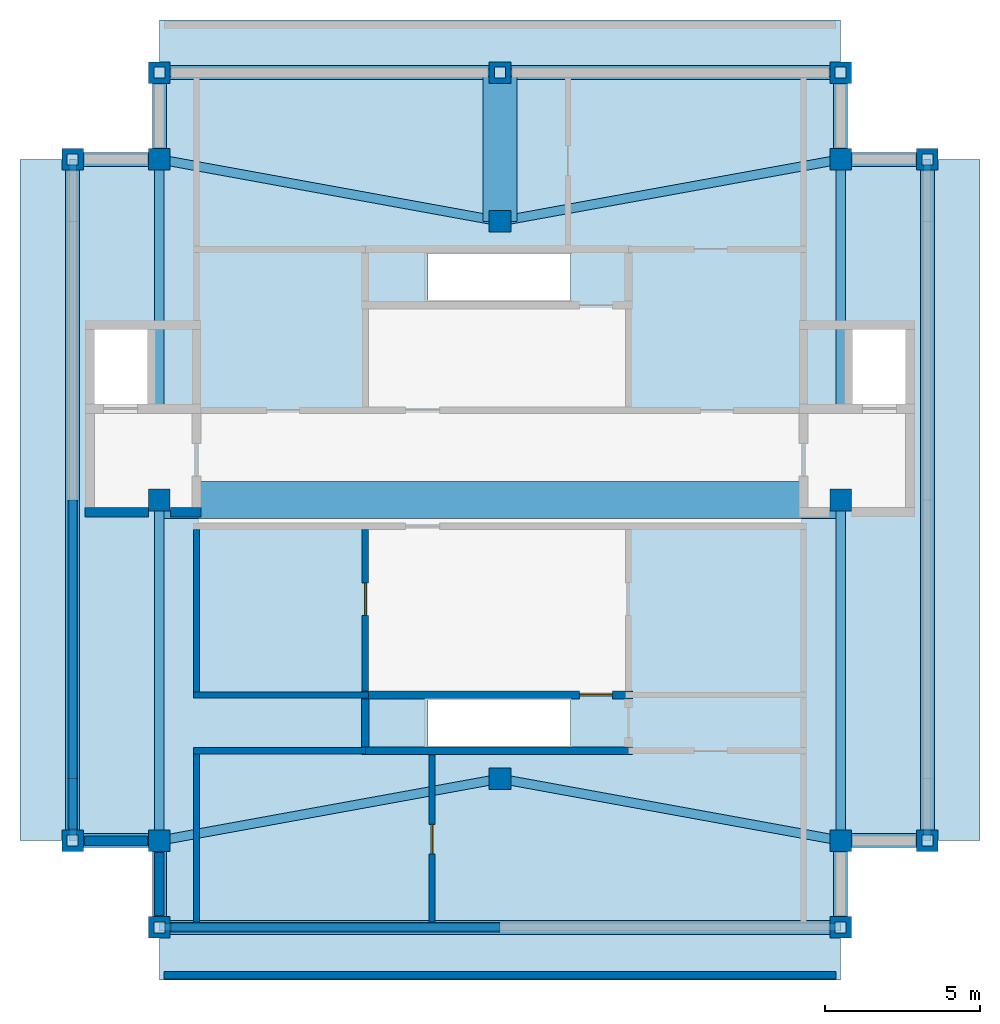
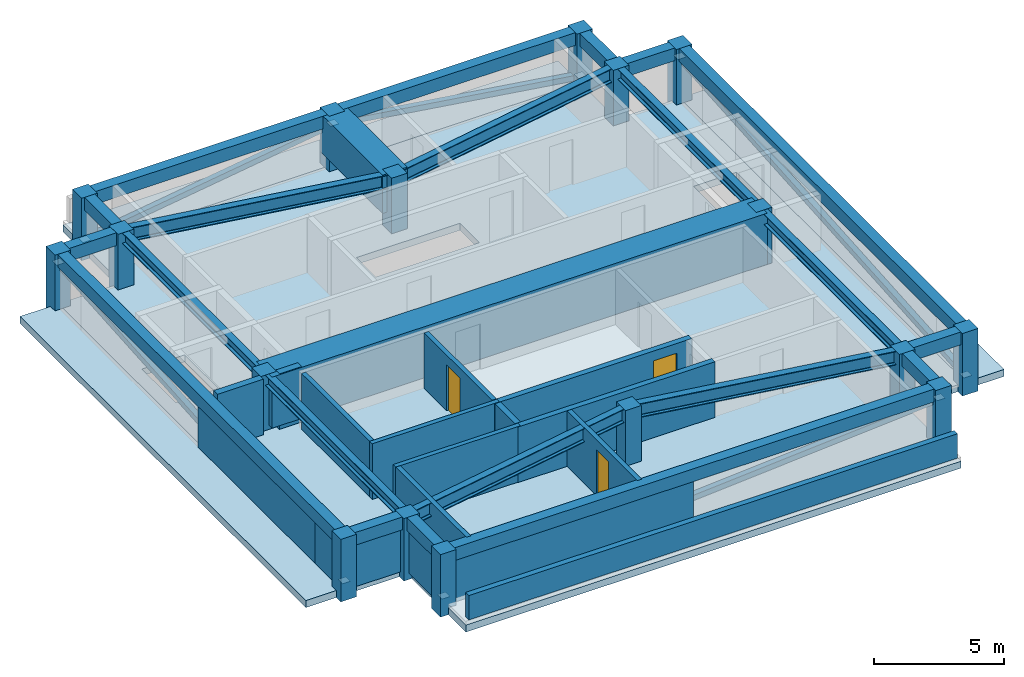
# One storey, part 1 of 4: 20 beams, 17 columns, 17 walls, 9 plates, 5 members, 5 slabs, 3 doors, 3 openings.
"""IFC4 building model written with IfcOpenShell, lengths in metres."""

from ifc_helpers import new_model, si_unit, direction, frame, frame_2d, origin, origin_2d, place, context, subcontext, project, spatial, polyline, rectangle, hollow_rectangle, i_section, outline, extrude, material, layer, layer_set, material_profile, profile_set, type_object, element, fill, save


model = new_model("IFC4")

# Units and contexts
model_context = context("Model", 3, precision=1e-05, world=origin(), true_north=direction((0.0, 1.0)))
body_context = subcontext(model_context, "Body", "Model", "MODEL_VIEW")
ifc_project = project(units=[si_unit("LENGTHUNIT", "METRE"), si_unit("AREAUNIT", "SQUARE_METRE"), si_unit("VOLUMEUNIT", "CUBIC_METRE"), si_unit("PLANEANGLEUNIT", "RADIAN"), si_unit("MASSUNIT", "GRAM", prefix="KILO")], contexts=[model_context])

# Site, building, storey
site_placement = place(None, origin())
site = spatial("IfcSite", under=ifc_project, at=site_placement, CompositionType="ELEMENT")
building_placement = place(site_placement, origin())
building = spatial("IfcBuilding", under=site, at=building_placement, Name="Zulmaris Gate Convention Tower", CompositionType="ELEMENT")
storey_placement = place(building_placement, frame((0.0, 0.0, 294.0400390625)))
storey = spatial("IfcBuildingStorey", under=building, at=storey_placement, Name="L79", CompositionType="ELEMENT", Elevation=294.0400390625)

# Columns
ifc_material_1 = material(Name="Concrete C50/60", Category="concrete")
ifc_material_profile_1 = material_profile(ifc_material_1, rectangle(XDim=0.699951171875, YDim=0.699951171875, at=origin_2d()), Name="RC COL 700x700")
ifc_profile_set_1 = profile_set([ifc_material_profile_1], Name="Concrete C50/60")
column_type = type_object("IfcColumnType", Name="COL-RC700", PredefinedType="COLUMN", material=ifc_profile_set_1)
for number, where, z_axis, x_axis, name in (
    (1, (-11.0, -13.800048828125, -0.324951171875), (0.0, 0.0, 1.0), (1.0, 0.0, 0.0), "L79 Column CR--11.00_-13.80"),
    (2, (11.0, -13.800048828125, -0.324951171875), (0.0, 0.0, 1.0), (1.0, 0.0, 0.0), "L79 Column CR-+11.00_-13.80"),
    (3, (13.800048828125, -11.0, -0.324951171875), (0.0, 0.0, 1.0), (1.0, 0.0, 0.0), "L79 Column CR-+13.80_-11.00"),
    (4, (13.800048828125, 11.0, -0.324951171875), (0.0, 0.0, 1.0), (1.0, 0.0, 0.0), "L79 Column CR-+13.80_+11.00"),
    (5, (11.0, 13.800048828125, -0.324951171875), (0.0, 0.0, 1.0), (1.0, 0.0, 0.0), "L79 Column CR-+11.00_+13.80"),
    (6, (0.0, 13.800048828125, -0.324951171875), (0.0, 0.0, 1.0), (1.0, 0.0, 0.0), "L79 Column CR-+0.00_+13.80"),
    (7, (-11.0, 13.800048828125, -0.324951171875), (0.0, 0.0, 1.0), (1.0, 0.0, 0.0), "L79 Column CR--11.00_+13.80"),
    (8, (-13.800048828125, 11.0, -0.324951171875), (0.0, 0.0, 1.0), (1.0, 0.0, 0.0), "L79 Column CR--13.80_+11.00"),
    (9, (-13.800048828125, -11.0, -0.324951171875), (0.0, 0.0, 1.0), (1.0, 0.0, 0.0), "L79 Column CR--13.80_-11.00"),
    (10, (-11.0, -11.0, -0.324951171875), (0.0, 0.0, 1.0), (1.0, 0.0, 0.0), "L79 Column CR--11.00_-11.00"),
    (11, (11.0, -11.0, -0.324951171875), (0.0, 0.0, 1.0), (1.0, 0.0, 0.0), "L79 Column CR-+11.00_-11.00"),
    (12, (-11.0, 11.0, -0.324951171875), (0.0, 0.0, 1.0), (1.0, 0.0, 0.0), "L79 Column CR--11.00_+11.00"),
    (13, (11.0, 11.0, -0.324951171875), (0.0, 0.0, 1.0), (1.0, 0.0, 0.0), "L79 Column CR-+11.00_+11.00"),
    (14, (-11.0, 0.0, -0.324951171875), (0.0, 0.0, 1.0), (1.0, 0.0, 0.0), "L79 Column CR--11.00_+0.00"),
    (15, (11.0, 0.0, -0.324951171875), (0.0, 0.0, 1.0), (1.0, 0.0, 0.0), "L79 Column CR-+11.00_+0.00"),
    (16, (0.0, -9.0, -0.324951171875), (0.0, 0.0, 1.0), (1.0, 0.0, 0.0), "L79 Column CR-+0.00_-9.00"),
    (17, (0.0, 9.0, -0.324951171875), (0.0, 0.0, 1.0), (1.0, 0.0, 0.0), "L79 Column CR-+0.00_+9.00"),
):
    element("IfcColumn", number, at=place(storey_placement, frame(where, z_axis=z_axis, x_axis=x_axis)), inside=storey, type_object=column_type, Name=name, PredefinedType="COLUMN", context=body_context, shape_type="SweptSolid", body=[
        extrude(rectangle(XDim=0.699951171875, YDim=0.699951171875, at=origin_2d()), origin(), (0.0, 0.0, 1.0), 2.93505859375),
    ])

# Beams
ifc_material_2 = material(Name="Steel S355", Category="steel")
ifc_material_profile_2 = material_profile(ifc_material_2, i_section(OverallWidth=0.300048828125, OverallDepth=0.5, WebThickness=0.014404296875, FlangeThickness=0.028076171875, FilletRadius=0.027099609375, at=origin_2d()), Name="HEB 500")
ifc_profile_set_2 = profile_set([ifc_material_profile_2], Name="Steel S355")
beam_type_1 = type_object("IfcBeamType", Name="BM-HEB500", PredefinedType="BEAM", material=ifc_profile_set_2)
for number, where, z_axis, x_axis, name in (
    (18, (-11.0, -11.0, 2.358154296875), (0.0, 1.0, 0.0), (-1.0, 0.0, 0.0), "L79 Beam BM-L79-CY--11.0-M"),
    (19, (11.0, -11.0, 2.358154296875), (0.0, 1.0, 0.0), (-1.0, 0.0, 0.0), "L79 Beam BM-L79-CY-+11.0-M"),
):
    element("IfcBeam", number, at=place(storey_placement, frame(where, z_axis=z_axis, x_axis=x_axis)), inside=storey, type_object=beam_type_1, Name=name, PredefinedType="BEAM", context=body_context, shape_type="SweptSolid", body=[
        extrude(i_section(OverallWidth=0.300048828125, OverallDepth=0.5, WebThickness=0.014404296875, FlangeThickness=0.028076171875, FilletRadius=0.027099609375, at=origin_2d()), origin(), (0.0, 0.0, 1.0), 22.0),
    ])
ifc_material_profile_3 = material_profile(ifc_material_2, i_section(OverallWidth=0.300048828125, OverallDepth=0.64990234375, WebThickness=0.01611328125, FlangeThickness=0.031005859375, FilletRadius=0.027099609375, at=origin_2d()), Name="HEB 650")
ifc_profile_set_3 = profile_set([ifc_material_profile_3], Name="Steel S355")
beam_type_2 = type_object("IfcBeamType", Name="BM-HEB650", PredefinedType="BEAM", material=ifc_profile_set_3)
for number, where, z_axis, x_axis, name in (
    (20, (-11.0, -11.0, 2.282958984375), (0.9838699101, 0.1788854382, 0.0), (-0.1788854382, 0.9838699101, 0.0), "L79 Beam BM-L79-CX--9.9-M1"),
    (21, (0.0, -9.0, 2.282958984375), (0.9838699101, -0.1788854382, 0.0), (0.1788854382, 0.9838699101, 0.0), "L79 Beam BM-L79-CX--9.9-M2"),
    (22, (-11.0, 11.0, 2.282958984375), (0.9838699101, -0.1788854382, 0.0), (0.1788854382, 0.9838699101, 0.0), "L79 Beam BM-L79-CX-+10.5-M1"),
    (23, (0.0, 9.0, 2.282958984375), (0.9838699101, 0.1788854382, 0.0), (-0.1788854382, 0.9838699101, 0.0), "L79 Beam BM-L79-CX-+10.5-M2"),
):
    element("IfcBeam", number, at=place(storey_placement, frame(where, z_axis=z_axis, x_axis=x_axis)), inside=storey, type_object=beam_type_2, Name=name, PredefinedType="BEAM", context=body_context, shape_type="SweptSolid", body=[
        extrude(i_section(OverallWidth=0.300048828125, OverallDepth=0.64990234375, WebThickness=0.01611328125, FlangeThickness=0.031005859375, FilletRadius=0.027099609375, at=origin_2d()), origin(), (0.0, 0.0, 1.0), 11.180419921875),
    ])
ifc_material_3 = material(Name="Precast concrete C50/60", Category="concrete")
ifc_material_profile_4 = material_profile(ifc_material_3, rectangle(XDim=0.449951171875, YDim=0.60009765625, at=origin_2d()), Name="RC SPANDREL 450x600")
ifc_profile_set_4 = profile_set([ifc_material_profile_4], Name="Precast concrete C50/60")
beam_type_3 = type_object("IfcBeamType", Name="BM-SP450x600", PredefinedType="SPANDREL", material=ifc_profile_set_4)
beam_1_placement = place(storey_placement, frame((-11.0, -13.800048828125, 2.31005859375), z_axis=(1.0, 0.0, 0.0), x_axis=(0.0, 1.0, 0.0)))
element("IfcBeam", 24, at=beam_1_placement, inside=storey, type_object=beam_type_3, Name="L79 Spandrel SP-L79-01", PredefinedType="SPANDREL", context=body_context, shape_type="SweptSolid", body=[
    extrude(rectangle(XDim=0.449951171875, YDim=0.60009765625, at=origin_2d()), origin(), (0.0, 0.0, 1.0), 22.0),
])
for number, where, z_axis, x_axis, name in (
    (25, (11.0, -13.800048828125, 2.31005859375), (0.0, 1.0, 0.0), (-1.0, 0.0, 0.0), "L79 Spandrel SP-L79-02"),
    (26, (11.0, -11.0, 2.31005859375), (1.0, 0.0, 0.0), (0.0, 1.0, 0.0), "L79 Spandrel SP-L79-03"),
):
    element("IfcBeam", number, at=place(storey_placement, frame(where, z_axis=z_axis, x_axis=x_axis)), inside=storey, type_object=beam_type_3, Name=name, PredefinedType="SPANDREL", context=body_context, shape_type="SweptSolid", body=[
        extrude(rectangle(XDim=0.449951171875, YDim=0.60009765625, at=origin_2d()), origin(), (0.0, 0.0, 1.0), 2.800048828125),
    ])
beam_2_placement = place(storey_placement, frame((13.800048828125, -11.0, 2.31005859375), z_axis=(0.0, 1.0, 0.0), x_axis=(-1.0, 0.0, 0.0)))
element("IfcBeam", 27, at=beam_2_placement, inside=storey, type_object=beam_type_3, Name="L79 Spandrel SP-L79-04", PredefinedType="SPANDREL", context=body_context, shape_type="SweptSolid", body=[
    extrude(rectangle(XDim=0.449951171875, YDim=0.60009765625, at=origin_2d()), origin(), (0.0, 0.0, 1.0), 22.0),
])
for number, where, z_axis, x_axis, name in (
    (28, (13.800048828125, 11.0, 2.31005859375), (-1.0, 0.0, 0.0), (0.0, -1.0, 0.0), "L79 Spandrel SP-L79-05"),
    (29, (11.0, 11.0, 2.31005859375), (0.0, 1.0, 0.0), (-1.0, 0.0, 0.0), "L79 Spandrel SP-L79-06"),
):
    element("IfcBeam", number, at=place(storey_placement, frame(where, z_axis=z_axis, x_axis=x_axis)), inside=storey, type_object=beam_type_3, Name=name, PredefinedType="SPANDREL", context=body_context, shape_type="SweptSolid", body=[
        extrude(rectangle(XDim=0.449951171875, YDim=0.60009765625, at=origin_2d()), origin(), (0.0, 0.0, 1.0), 2.800048828125),
    ])
beam_3_placement = place(storey_placement, frame((11.0, 13.800048828125, 2.31005859375), z_axis=(-1.0, 0.0, 0.0), x_axis=(0.0, -1.0, 0.0)))
element("IfcBeam", 30, at=beam_3_placement, inside=storey, type_object=beam_type_3, Name="L79 Spandrel SP-L79-07", PredefinedType="SPANDREL", context=body_context, shape_type="SweptSolid", body=[
    extrude(rectangle(XDim=0.449951171875, YDim=0.60009765625, at=origin_2d()), origin(), (0.0, 0.0, 1.0), 22.0),
])
for number, where, z_axis, x_axis, name in (
    (31, (-11.0, 13.800048828125, 2.31005859375), (0.0, -1.0, 0.0), (1.0, 0.0, 0.0), "L79 Spandrel SP-L79-08"),
    (32, (-11.0, 11.0, 2.31005859375), (-1.0, 0.0, 0.0), (0.0, -1.0, 0.0), "L79 Spandrel SP-L79-09"),
):
    element("IfcBeam", number, at=place(storey_placement, frame(where, z_axis=z_axis, x_axis=x_axis)), inside=storey, type_object=beam_type_3, Name=name, PredefinedType="SPANDREL", context=body_context, shape_type="SweptSolid", body=[
        extrude(rectangle(XDim=0.449951171875, YDim=0.60009765625, at=origin_2d()), origin(), (0.0, 0.0, 1.0), 2.800048828125),
    ])
beam_4_placement = place(storey_placement, frame((-13.800048828125, 11.0, 2.31005859375), z_axis=(0.0, -1.0, 0.0), x_axis=(1.0, 0.0, 0.0)))
element("IfcBeam", 33, at=beam_4_placement, inside=storey, type_object=beam_type_3, Name="L79 Spandrel SP-L79-10", PredefinedType="SPANDREL", context=body_context, shape_type="SweptSolid", body=[
    extrude(rectangle(XDim=0.449951171875, YDim=0.60009765625, at=origin_2d()), origin(), (0.0, 0.0, 1.0), 22.0),
])
for number, where, z_axis, x_axis, name in (
    (34, (-13.800048828125, -11.0, 2.31005859375), (1.0, 0.0, 0.0), (0.0, 1.0, 0.0), "L79 Spandrel SP-L79-11"),
    (35, (-11.0, -11.0, 2.31005859375), (0.0, -1.0, 0.0), (1.0, 0.0, 0.0), "L79 Spandrel SP-L79-12"),
):
    element("IfcBeam", number, at=place(storey_placement, frame(where, z_axis=z_axis, x_axis=x_axis)), inside=storey, type_object=beam_type_3, Name=name, PredefinedType="SPANDREL", context=body_context, shape_type="SweptSolid", body=[
        extrude(rectangle(XDim=0.449951171875, YDim=0.60009765625, at=origin_2d()), origin(), (0.0, 0.0, 1.0), 2.800048828125),
    ])
ifc_material_4 = material(Name="Concrete C80/95", Category="concrete")
ifc_material_profile_5 = material_profile(ifc_material_4, rectangle(XDim=1.10009765625, YDim=1.800048828125, at=origin_2d()), Name="RC TRANSFER 1100x1800")
ifc_profile_set_5 = profile_set([ifc_material_profile_5], Name="Concrete C80/95")
beam_type_4 = type_object("IfcBeamType", Name="BM-XFER1800", PredefinedType="BEAM", material=ifc_profile_set_5)
beam_5_placement = place(storey_placement, frame((0.0, 9.0, 1.7099609375), z_axis=(0.0, 1.0, 0.0), x_axis=(-1.0, 0.0, 0.0)))
element("IfcBeam", 36, at=beam_5_placement, inside=storey, type_object=beam_type_4, Name="L79 Beam BM-L79-CY-+0.0-N", PredefinedType="BEAM", context=body_context, shape_type="SweptSolid", body=[
    extrude(rectangle(XDim=1.10009765625, YDim=1.800048828125, at=origin_2d()), origin(), (0.0, 0.0, 1.0), 4.800048828125),
])
ifc_material_profile_6 = material_profile(ifc_material_4, rectangle(XDim=1.199951171875, YDim=2.39990234375, at=origin_2d()), Name="RC TRANSFER 1200x2400")
ifc_profile_set_6 = profile_set([ifc_material_profile_6], Name="Concrete C80/95")
beam_type_5 = type_object("IfcBeamType", Name="BM-XFER2400", PredefinedType="BEAM", material=ifc_profile_set_6)
beam_6_placement = place(storey_placement, frame((-11.0, 0.0, 1.41015625), z_axis=(1.0, 0.0, 0.0), x_axis=(0.0, 1.0, 0.0)))
element("IfcBeam", 37, at=beam_6_placement, inside=storey, type_object=beam_type_5, Name="L79 Beam BM-L79-CX-MID", PredefinedType="BEAM", context=body_context, shape_type="SweptSolid", body=[
    extrude(rectangle(XDim=1.199951171875, YDim=2.39990234375, at=origin_2d()), origin(), (0.0, 0.0, 1.0), 22.0),
])

# Members
ifc_material_profile_7 = material_profile(ifc_material_2, hollow_rectangle(XDim=0.25, YDim=0.25, WallThickness=0.012451171875, at=origin_2d()), Name="SHS 250x250x12.5")
ifc_profile_set_7 = profile_set([ifc_material_profile_7], Name="Steel S355")
member_type = type_object("IfcMemberType", Name="BR-SHS250", PredefinedType="BRACE", material=ifc_profile_set_7)
member_placement = place(storey_placement, frame((-11.0, -13.800048828125, 0.349853515625), z_axis=(0.997332564304, 0.0, 0.072991480176), x_axis=(0.0, 1.0, 0.0)))
element("IfcMember", 38, at=member_placement, inside=storey, type_object=member_type, Name="L79 Crown Perimeter Brace 01", PredefinedType="BRACE", context=body_context, shape_type="SweptSolid", body=[
    extrude(hollow_rectangle(XDim=0.25, YDim=0.25, WallThickness=0.012451171875, at=origin_2d()), origin(), (0.0, 0.0, 1.0), 22.058837890625),
])
for number, where, z_axis, x_axis, name in (
    (39, (-11.0, 13.800048828125, 0.349853515625), (0.989456535957, 0.0, 0.144830119288), (0.0, 1.0, 0.0), "L79 Crown Perimeter Brace 02"),
    (40, (0.0, 13.800048828125, 1.9599609375), (0.989456535957, 0.0, -0.144830119288), (0.0, 1.0, 0.0), "L79 Crown Perimeter Brace 03"),
):
    element("IfcMember", number, at=place(storey_placement, frame(where, z_axis=z_axis, x_axis=x_axis)), inside=storey, type_object=member_type, Name=name, PredefinedType="BRACE", context=body_context, shape_type="SweptSolid", body=[
        extrude(hollow_rectangle(XDim=0.25, YDim=0.25, WallThickness=0.012451171875, at=origin_2d()), origin(), (0.0, 0.0, 1.0), 11.1171875),
    ])
for number, where, z_axis, x_axis, name in (
    (41, (-13.800048828125, -11.0, 0.349853515625), (0.0, 0.997332564304, 0.072991480176), (-1.0, 0.0, 0.0), "L79 Crown Perimeter Brace 04"),
    (42, (13.800048828125, -11.0, 0.349853515625), (0.0, 0.997332564304, 0.072991480176), (-1.0, 0.0, 0.0), "L79 Crown Perimeter Brace 05"),
):
    element("IfcMember", number, at=place(storey_placement, frame(where, z_axis=z_axis, x_axis=x_axis)), inside=storey, type_object=member_type, Name=name, PredefinedType="BRACE", context=body_context, shape_type="SweptSolid", body=[
        extrude(hollow_rectangle(XDim=0.25, YDim=0.25, WallThickness=0.012451171875, at=origin_2d()), origin(), (0.0, 0.0, 1.0), 22.058837890625),
    ])

# Plates
ifc_material_5 = material(Name="Steel S460", Category="steel")
ifc_layer_1 = layer(ifc_material_5, 0.02197265625, Name="Steel S460")
ifc_layer_set_1 = layer_set([ifc_layer_1], Name="Steel S460")
plate_type = type_object("IfcPlateType", Name="NP-CAP-360", PredefinedType="USERDEFINED", material=ifc_layer_set_1)
for number, where, z_axis, x_axis, name in (
    (43, (-11.0, -13.800048828125, 0.3388671875), (0.0, 0.0, 1.0), (1.0, 0.0, 0.0), "L79 Steel Node Plate CBR-L79-01-P0"),
    (44, (11.0, -13.800048828125, 1.948974609375), (0.0, 0.0, 1.0), (1.0, 0.0, 0.0), "L79 Steel Node Plate CBR-L79-01-P1"),
    (45, (-11.0, 13.800048828125, 0.3388671875), (0.0, 0.0, 1.0), (1.0, 0.0, 0.0), "L79 Steel Node Plate CBR-L79-02-P0"),
    (46, (0.0, 13.800048828125, 1.948974609375), (0.0, 0.0, 1.0), (1.0, 0.0, 0.0), "L79 Steel Node Plate CBR-L79-02-P1"),
    (47, (11.0, 13.800048828125, 0.3388671875), (0.0, 0.0, 1.0), (1.0, 0.0, 0.0), "L79 Steel Node Plate CBR-L79-03-P1"),
    (48, (-13.800048828125, -11.0, 0.3388671875), (0.0, 0.0, 1.0), (1.0, 0.0, 0.0), "L79 Steel Node Plate CBR-L79-04-P0"),
    (49, (-13.800048828125, 11.0, 1.948974609375), (0.0, 0.0, 1.0), (1.0, 0.0, 0.0), "L79 Steel Node Plate CBR-L79-04-P1"),
    (50, (13.800048828125, -11.0, 0.3388671875), (0.0, 0.0, 1.0), (1.0, 0.0, 0.0), "L79 Steel Node Plate CBR-L79-05-P0"),
    (51, (13.800048828125, 11.0, 1.948974609375), (0.0, 0.0, 1.0), (1.0, 0.0, 0.0), "L79 Steel Node Plate CBR-L79-05-P1"),
):
    element("IfcPlate", number, at=place(storey_placement, frame(where, z_axis=z_axis, x_axis=x_axis)), inside=storey, type_object=plate_type, Name=name, ObjectType="FLANGE PLATE", PredefinedType="USERDEFINED", context=body_context, shape_type="SweptSolid", body=[
        extrude(rectangle(XDim=0.360107421875, YDim=0.360107421875, at=origin_2d()), origin(), (0.0, 0.0, 1.0), 0.02197265625),
    ])

# Slabs
ifc_layer_2 = layer(ifc_material_1, 0.324951171875, Name="Concrete C50/60")
ifc_layer_set_2 = layer_set([ifc_layer_2], Name="Concrete C50/60")
slab_type_1 = type_object("IfcSlabType", Name="SL-FLR-325", PredefinedType="FLOOR", material=ifc_layer_set_2)
slab_1_placement = place(storey_placement, frame((0.0, 0.0, -0.324951171875)))
element("IfcSlab", 52, at=slab_1_placement, inside=storey, type_object=slab_type_1, Name="L79 Crown Plant Floor Slab", PredefinedType="FLOOR", context=body_context, shape_type="SweptSolid", body=[
    extrude(outline(polyline([(-11.0, -13.800048828125), (11.0, -13.800048828125), (11.0, -11.0), (13.800048828125, -11.0), (13.800048828125, 11.0), (11.0, 11.0), (11.0, 13.800048828125), (-11.0, 13.800048828125), (-11.0, 11.0), (-13.800048828125, 11.0), (-13.800048828125, -11.0), (-11.0, -11.0), (-11.0, -13.800048828125)]), holes=[polyline([(-2.320068359375, -7.949951171875), (2.280029296875, -7.949951171875), (2.280029296875, -6.449951171875), (-2.320068359375, -6.449951171875), (-2.320068359375, -7.949951171875)]), polyline([(-2.320068359375, 6.449951171875), (2.280029296875, 6.449951171875), (2.280029296875, 7.949951171875), (-2.320068359375, 7.949951171875), (-2.320068359375, 6.449951171875)]), polyline([(-13.199951171875, 3.0), (-11.300048828125, 3.0), (-11.300048828125, 5.60009765625), (-13.199951171875, 5.60009765625), (-13.199951171875, 3.0)]), polyline([(11.300048828125, 3.0), (13.199951171875, 3.0), (13.199951171875, 5.60009765625), (11.300048828125, 5.60009765625), (11.300048828125, 3.0)])]), origin(), (0.0, 0.0, 1.0), 0.324951171875),
])
ifc_layer_3 = layer(ifc_material_1, 0.324951171875, Name="Concrete C50/60")
ifc_layer_set_3 = layer_set([ifc_layer_3], Name="Concrete C50/60")
slab_type_2 = type_object("IfcSlabType", Name="SL-ROOF-325", PredefinedType="ROOF", material=ifc_layer_set_3)
slab_2_placement = place(storey_placement, frame((0.0, 0.0, -0.324951171875)))
element("IfcSlab", 53, at=slab_2_placement, inside=storey, type_object=slab_type_2, Name="L79 Stepped Crown Setback Roof Cap N", PredefinedType="ROOF", context=body_context, shape_type="SweptSolid", body=[
    extrude(outline(polyline([(-11.0, 13.800048828125), (11.0, 13.800048828125), (11.0, 15.5), (-11.0, 15.5), (-11.0, 13.800048828125)])), origin(), (0.0, 0.0, 1.0), 0.324951171875),
])
slab_3_placement = place(storey_placement, frame((0.0, 0.0, -0.324951171875)))
element("IfcSlab", 54, at=slab_3_placement, inside=storey, type_object=slab_type_2, Name="L79 Stepped Crown Setback Roof Cap S", PredefinedType="ROOF", context=body_context, shape_type="SweptSolid", body=[
    extrude(outline(polyline([(-11.0, -15.5), (11.0, -15.5), (11.0, -13.800048828125), (-11.0, -13.800048828125), (-11.0, -15.5)])), origin(), (0.0, 0.0, 1.0), 0.324951171875),
])
slab_4_placement = place(storey_placement, frame((0.0, 0.0, -0.324951171875)))
element("IfcSlab", 55, at=slab_4_placement, inside=storey, type_object=slab_type_2, Name="L79 Stepped Crown Setback Roof Cap W", PredefinedType="ROOF", context=body_context, shape_type="SweptSolid", body=[
    extrude(outline(polyline([(-15.5, -11.0), (-13.800048828125, -11.0), (-13.800048828125, 11.0), (-15.5, 11.0), (-15.5, -11.0)])), origin(), (0.0, 0.0, 1.0), 0.324951171875),
])
slab_5_placement = place(storey_placement, frame((0.0, 0.0, -0.324951171875)))
element("IfcSlab", 56, at=slab_5_placement, inside=storey, type_object=slab_type_2, Name="L79 Stepped Crown Setback Roof Cap E", PredefinedType="ROOF", context=body_context, shape_type="SweptSolid", body=[
    extrude(outline(polyline([(13.800048828125, -11.0), (15.5, -11.0), (15.5, 11.0), (13.800048828125, 11.0), (13.800048828125, -11.0)])), origin(), (0.0, 0.0, 1.0), 0.324951171875),
])

# Wall
ifc_layer_4 = layer(ifc_material_1, 0.25, Name="Concrete C50/60")
ifc_layer_set_4 = layer_set([ifc_layer_4], Name="Concrete C50/60")
wall_type_1 = type_object("IfcWallType", Name="CORE-250", PredefinedType="SOLIDWALL", material=ifc_layer_set_4)
wall_1_placement = place(storey_placement, frame((-4.47509765625, -8.10009765625, 0.0), z_axis=(0.0, 0.0, 1.0), x_axis=(1.0, 0.0, 0.0)))
element("IfcWall", 57, at=wall_1_placement, inside=storey, type_object=wall_type_1, Name="WL-L79-001", PredefinedType="SOLIDWALL", context=body_context, shape_type="SweptSolid", body=[
    extrude(rectangle(XDim=8.75, YDim=0.25, at=frame_2d((4.375, 0.0))), origin(), (0.0, 0.0, 1.0), 2.610107421875),
])

# Wall, opening, door
wall_2_placement = place(storey_placement, frame((-4.47509765625, -6.300048828125, 0.0), z_axis=(0.0, 0.0, 1.0), x_axis=(1.0, 0.0, 0.0)))
wall_2 = element("IfcWall", 58, at=wall_2_placement, inside=storey, type_object=wall_type_1, Name="WL-L79-002", PredefinedType="SOLIDWALL", context=body_context, shape_type="SweptSolid", body=[
    extrude(rectangle(XDim=8.75, YDim=0.25, at=frame_2d((4.375, 0.0))), origin(), (0.0, 0.0, 1.0), 2.610107421875),
])
opening_1_placement = place(wall_2_placement, frame((7.050048828125, 0.0, 0.0)))
opening_1 = element("IfcOpeningElement", 59, at=opening_1_placement, cuts=wall_2, Name="Opening D-09", PredefinedType="OPENING", context=body_context, shape_type="SweptSolid", body=[
    extrude(rectangle(XDim=1.050048828125, YDim=2.14990234375, at=frame_2d((0.52490234375, 1.074951171875))), frame((0.0, 0.135009765625, 0.0), z_axis=(0.0, -1.0, 0.0), x_axis=(1.0, 0.0, 0.0)), (0.0, 0.0, 1.0), 0.27001953125),
])
ifc_material_6 = material(Name="Fire-Rated Steel", Category="steel")
door_type_1 = type_object("IfcDoorType", Name="DR-1050-FD", OperationType="NOTDEFINED", PredefinedType="DOOR", material=ifc_material_6)
door_1_placement = place(opening_1_placement, origin())
door_1 = element("IfcDoor", 60, at=door_1_placement, inside=storey, type_object=door_type_1, Name="L79 Crown Stair ST-7 Door 05", OperationType="SINGLE_SWING_LEFT", OverallHeight=2.14990234375, OverallWidth=1.050048828125, PredefinedType="DOOR", context=body_context, shape_type="SweptSolid", body=[
    extrude(rectangle(XDim=1.050048828125, YDim=2.14990234375, at=frame_2d((0.52490234375, 1.074951171875))), frame((0.0, 0.02490234375, 0.0), z_axis=(0.0, -1.0, 0.0), x_axis=(1.0, 0.0, 0.0)), (0.0, 0.0, 1.0), 0.050048828125),
])
fill(opening_1, door_1)

# Walls
wall_3_placement = place(storey_placement, frame((-4.35009765625, -7.972900390625, 0.0), z_axis=(0.0, 0.0, 1.0), x_axis=(0.0, 1.0, 0.0)))
element("IfcWall", 61, at=wall_3_placement, inside=storey, type_object=wall_type_1, Name="WL-L79-024", PredefinedType="SOLIDWALL", context=body_context, shape_type="SweptSolid", body=[
    extrude(rectangle(XDim=1.5458984375, YDim=0.25, at=frame_2d((0.77294921875, 0.0))), origin(), (0.0, 0.0, 1.0), 2.610107421875),
])
ifc_layer_5 = layer(ifc_material_1, 0.300048828125, Name="Concrete C50/60")
ifc_layer_set_5 = layer_set([ifc_layer_5], Name="Concrete C50/60")
wall_type_2 = type_object("IfcWallType", Name="CORE-300", PredefinedType="SHEAR", material=ifc_layer_set_5)
wall_4_placement = place(storey_placement, frame((-13.39990234375, -0.39990234375, 0.0), z_axis=(0.0, 0.0, 1.0), x_axis=(1.0, 0.0, 0.0)))
element("IfcWall", 62, at=wall_4_placement, inside=storey, type_object=wall_type_2, Name="WL-L79-003", PredefinedType="SHEAR", context=body_context, shape_type="SweptSolid", body=[
    extrude(rectangle(XDim=2.0458984375, YDim=0.300048828125, at=frame_2d((1.02294921875, 0.0))), origin(), (0.0, 0.0, 1.0), 2.610107421875),
])
wall_5_placement = place(storey_placement, frame((-10.64599609375, -0.39990234375, 0.0), z_axis=(0.0, 0.0, 1.0), x_axis=(1.0, 0.0, 0.0)))
element("IfcWall", 63, at=wall_5_placement, inside=storey, type_object=wall_type_2, Name="WL-L79-003S1", PredefinedType="SHEAR", context=body_context, shape_type="SweptSolid", body=[
    extrude(rectangle(XDim=0.99609375, YDim=0.300048828125, at=frame_2d((0.498046875, 0.0))), origin(), (0.0, 0.0, 1.0), 2.610107421875),
])
ifc_material_7 = material(Name="Autoclaved Aerated Concrete Block and Plasterboard", Category="concrete")
ifc_layer_6 = layer(ifc_material_7, 0.199951171875, Name="Autoclaved Aerated Concrete Block and Plasterboard")
ifc_layer_set_6 = layer_set([ifc_layer_6], Name="Autoclaved Aerated Concrete Block and Plasterboard")
wall_type_3 = type_object("IfcWallType", Name="PART-200", PredefinedType="PARTITIONING", material=ifc_layer_set_6)
wall_6_placement = place(storey_placement, frame((-9.89990234375, -8.10009765625, 0.0), z_axis=(0.0, 0.0, 1.0), x_axis=(1.0, 0.0, 0.0)))
element("IfcWall", 64, at=wall_6_placement, inside=storey, type_object=wall_type_3, Name="WL-L79-011", PredefinedType="PARTITIONING", context=body_context, shape_type="SweptSolid", body=[
    extrude(rectangle(XDim=5.5498046875, YDim=0.199951171875, at=frame_2d((2.77490234375, 0.0))), origin(), (0.0, 0.0, 1.0), 2.610107421875),
])
wall_7_placement = place(storey_placement, frame((-9.89990234375, -6.300048828125, 0.0), z_axis=(0.0, 0.0, 1.0), x_axis=(1.0, 0.0, 0.0)))
element("IfcWall", 65, at=wall_7_placement, inside=storey, type_object=wall_type_3, Name="WL-L79-013", PredefinedType="PARTITIONING", context=body_context, shape_type="SweptSolid", body=[
    extrude(rectangle(XDim=5.64990234375, YDim=0.199951171875, at=frame_2d((2.824951171875, 0.0))), origin(), (0.0, 0.0, 1.0), 2.610107421875),
])
wall_8_placement = place(storey_placement, frame((-9.800048828125, -13.635009765625, 0.0), z_axis=(0.0, 0.0, 1.0), x_axis=(0.0, 1.0, 0.0)))
element("IfcWall", 66, at=wall_8_placement, inside=storey, type_object=wall_type_3, Name="WL-L79-033", PredefinedType="PARTITIONING", context=body_context, shape_type="SweptSolid", body=[
    extrude(rectangle(XDim=5.43212890625, YDim=0.199951171875, at=frame_2d((2.716064453125, 0.0))), origin(), (0.0, 0.0, 1.0), 2.610107421875),
])
wall_9_placement = place(storey_placement, frame((-9.800048828125, -6.197021484375, 0.0), z_axis=(0.0, 0.0, 1.0), x_axis=(0.0, 1.0, 0.0)))
element("IfcWall", 67, at=wall_9_placement, inside=storey, type_object=wall_type_3, Name="WL-L79-034", PredefinedType="PARTITIONING", context=body_context, shape_type="SweptSolid", body=[
    extrude(rectangle(XDim=5.244140625, YDim=0.199951171875, at=frame_2d((2.6220703125, 0.0))), origin(), (0.0, 0.0, 1.0), 2.610107421875),
])

# Wall, opening, door
wall_10_placement = place(storey_placement, frame((-4.35009765625, -6.172119140625, 0.0), z_axis=(0.0, 0.0, 1.0), x_axis=(0.0, 1.0, 0.0)))
wall_10 = element("IfcWall", 68, at=wall_10_placement, inside=storey, type_object=wall_type_3, Name="WL-L79-037", PredefinedType="PARTITIONING", context=body_context, shape_type="SweptSolid", body=[
    extrude(rectangle(XDim=5.21923828125, YDim=0.199951171875, at=frame_2d((2.609619140625, 0.0))), origin(), (0.0, 0.0, 1.0), 2.610107421875),
])
opening_2_placement = place(wall_10_placement, frame((2.447021484375, 0.0, 0.0)))
opening_2 = element("IfcOpeningElement", 69, at=opening_2_placement, cuts=wall_10, Name="Opening D-09", PredefinedType="OPENING", context=body_context, shape_type="SweptSolid", body=[
    extrude(rectangle(XDim=1.050048828125, YDim=2.14990234375, at=frame_2d((0.52490234375, 1.074951171875))), frame((0.0, 0.10986328125, 0.0), z_axis=(0.0, -1.0, 0.0), x_axis=(1.0, 0.0, 0.0)), (0.0, 0.0, 1.0), 0.219970703125),
])
door_2_placement = place(opening_2_placement, origin())
door_2 = element("IfcDoor", 70, at=door_2_placement, inside=storey, type_object=door_type_1, Name="L79 Chiller Plant Door 09", OperationType="SINGLE_SWING_LEFT", OverallHeight=2.14990234375, OverallWidth=1.050048828125, PredefinedType="DOOR", context=body_context, shape_type="SweptSolid", body=[
    extrude(rectangle(XDim=1.050048828125, YDim=2.14990234375, at=frame_2d((0.52490234375, 1.074951171875))), frame((0.0, 0.02490234375, 0.0), z_axis=(0.0, -1.0, 0.0), x_axis=(1.0, 0.0, 0.0)), (0.0, 0.0, 1.0), 0.050048828125),
])
fill(opening_2, door_2)

wall_11_placement = place(storey_placement, frame((-2.199951171875, -13.635009765625, 0.0), z_axis=(0.0, 0.0, 1.0), x_axis=(0.0, 1.0, 0.0)))
wall_11 = element("IfcWall", 71, at=wall_11_placement, inside=storey, type_object=wall_type_3, Name="WL-L79-039", PredefinedType="PARTITIONING", context=body_context, shape_type="SweptSolid", body=[
    extrude(rectangle(XDim=5.406982421875, YDim=0.199951171875, at=frame_2d((2.70361328125, 0.0))), origin(), (0.0, 0.0, 1.0), 2.610107421875),
])
opening_3_placement = place(wall_11_placement, frame((2.2099609375, 0.0, 0.0)))
opening_3 = element("IfcOpeningElement", 72, at=opening_3_placement, cuts=wall_11, Name="Opening D-11", PredefinedType="OPENING", context=body_context, shape_type="SweptSolid", body=[
    extrude(rectangle(XDim=0.949951171875, YDim=2.14990234375, at=frame_2d((0.47509765625, 1.074951171875))), frame((0.0, 0.10986328125, 0.0), z_axis=(0.0, -1.0, 0.0), x_axis=(1.0, 0.0, 0.0)), (0.0, 0.0, 1.0), 0.219970703125),
])
ifc_material_8 = material(Name="Fire-Rated Timber", Category="wood")
door_type_2 = type_object("IfcDoorType", Name="DR-950-FD", OperationType="NOTDEFINED", PredefinedType="DOOR", material=ifc_material_8)
door_3_placement = place(opening_3_placement, origin())
door_3 = element("IfcDoor", 73, at=door_3_placement, inside=storey, type_object=door_type_2, Name="L79 West Cooling Plant Door 14", OperationType="SINGLE_SWING_RIGHT", OverallHeight=2.14990234375, OverallWidth=0.949951171875, PredefinedType="DOOR", context=body_context, shape_type="SweptSolid", body=[
    extrude(rectangle(XDim=0.949951171875, YDim=2.14990234375, at=frame_2d((0.47509765625, 1.074951171875))), frame((0.0, 0.02490234375, 0.0), z_axis=(0.0, -1.0, 0.0), x_axis=(1.0, 0.0, 0.0)), (0.0, 0.0, 1.0), 0.050048828125),
])
fill(opening_3, door_3)

# Walls
ifc_material_9 = material(Name="Precast concrete C40/50", Category="concrete")
ifc_layer_7 = layer(ifc_material_9, 0.300048828125, Name="Precast concrete C40/50")
ifc_layer_set_7 = layer_set([ifc_layer_7], Name="Precast concrete C40/50")
wall_type_4 = type_object("IfcWallType", Name="PRECAST-CROWN-300", PredefinedType="STANDARD", material=ifc_layer_set_7)
wall_12_placement = place(storey_placement, frame((-10.6201171875, -13.800048828125, 0.0), z_axis=(0.0, 0.0, 1.0), x_axis=(1.0, 0.0, 0.0)))
element("IfcWall", 74, at=wall_12_placement, inside=storey, type_object=wall_type_4, Name="EW-L79-CR-S0_0", PredefinedType="STANDARD", context=body_context, shape_type="SweptSolid", body=[
    extrude(rectangle(XDim=10.6201171875, YDim=0.300048828125, at=frame_2d((5.31005859375, 0.0))), origin(), (0.0, 0.0, 1.0), 2.001953125),
])
wall_13_placement = place(storey_placement, frame((-13.800048828125, -9.0, 0.0), z_axis=(0.0, 0.0, 1.0), x_axis=(0.0, -1.0, 0.0)))
element("IfcWall", 75, at=wall_13_placement, inside=storey, type_object=wall_type_4, Name="EW-L79-CR-W0_0", PredefinedType="STANDARD", context=body_context, shape_type="SweptSolid", body=[
    extrude(rectangle(XDim=1.6201171875, YDim=0.300048828125, at=frame_2d((0.81005859375, 0.0))), origin(), (0.0, 0.0, 1.0), 2.001953125),
])
wall_14_placement = place(storey_placement, frame((-13.800048828125, 0.0, 0.0), z_axis=(0.0, 0.0, 1.0), x_axis=(0.0, -1.0, 0.0)))
element("IfcWall", 76, at=wall_14_placement, inside=storey, type_object=wall_type_4, Name="EW-L79-CR-W1_0", PredefinedType="STANDARD", context=body_context, shape_type="SweptSolid", body=[
    extrude(rectangle(XDim=9.0, YDim=0.300048828125, at=frame_2d((4.5, 0.0))), origin(), (0.0, 0.0, 1.0), 2.001953125),
])
for number, where, z_axis, x_axis, name in (
    (77, (-13.419921875, -11.0, 0.0), (0.0, 0.0, 1.0), (1.0, 0.0, 0.0), "EW-L79-CR-SW1_0"),
    (78, (-11.0, -11.3798828125, 0.0), (0.0, 0.0, 1.0), (0.0, -1.0, 0.0), "EW-L79-CR-SW2_0"),
):
    element("IfcWall", number, at=place(storey_placement, frame(where, z_axis=z_axis, x_axis=x_axis)), inside=storey, type_object=wall_type_4, Name=name, PredefinedType="STANDARD", context=body_context, shape_type="SweptSolid", body=[
        extrude(rectangle(XDim=2.0400390625, YDim=0.300048828125, at=frame_2d((1.02001953125, 0.0))), origin(), (0.0, 0.0, 1.0), 2.001953125),
    ])
ifc_layer_8 = layer(ifc_material_9, 0.25, Name="Precast concrete C40/50")
ifc_layer_set_8 = layer_set([ifc_layer_8], Name="Precast concrete C40/50")
wall_type_5 = type_object("IfcWallType", Name="PRECAST-PARAPET-250", PredefinedType="PARAPET", material=ifc_layer_set_8)
wall_15_placement = place(storey_placement, frame((-10.85009765625, -15.35009765625, 0.179931640625), z_axis=(0.0, 0.0, 1.0), x_axis=(1.0, 0.0, 0.0)))
element("IfcWall", 79, at=wall_15_placement, inside=storey, type_object=wall_type_5, Name="PRP-L79-CROWN-S", PredefinedType="PARAPET", context=body_context, shape_type="SweptSolid", body=[
    extrude(rectangle(XDim=21.7001953125, YDim=0.25, at=frame_2d((10.85009765625, 0.0))), origin(), (0.0, 0.0, 1.0), 1.14013671875),
])

save(model, "model.ifc")
